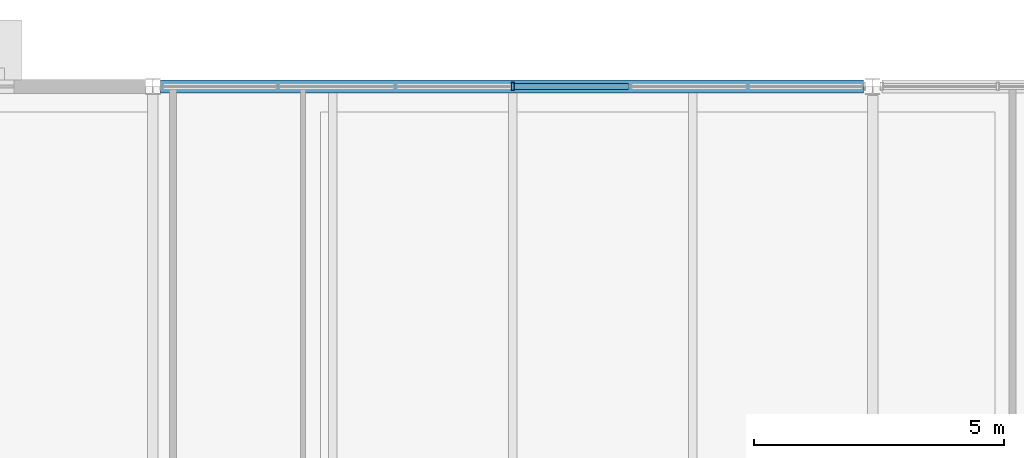
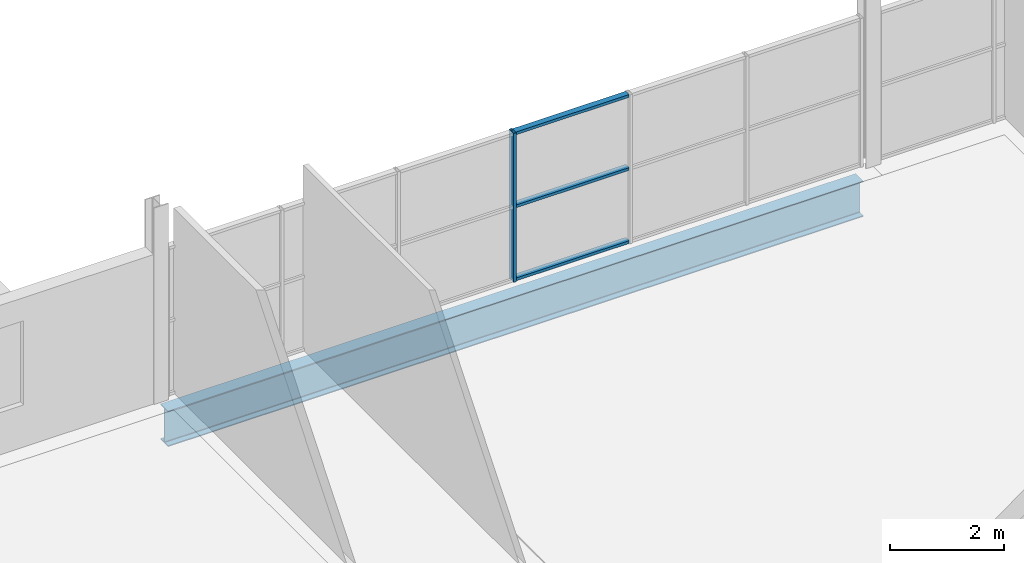
# One storey, part 42 of 93: 4 members, 1 beam, 1 element without a shape of its own.
"""IFC4 building model written with IfcOpenShell, lengths in metres."""

from ifc_helpers import new_model, si_unit, direction, frame, origin, origin_2d, place, context, subcontext, project, spatial, hollow_rectangle, i_section, extrude, material, material_profile, profile_set, type_object, element, aggregate, save


model = new_model("IFC4")

# Units and contexts
model_context = context("Model", 3, precision=1e-05, world=origin(), true_north=direction((0.0, 1.0)))
body_context = subcontext(model_context, "Body", "Model", "MODEL_VIEW")
ifc_project = project(units=[si_unit("LENGTHUNIT", "METRE"), si_unit("AREAUNIT", "SQUARE_METRE"), si_unit("VOLUMEUNIT", "CUBIC_METRE"), si_unit("PLANEANGLEUNIT", "RADIAN"), si_unit("MASSUNIT", "GRAM", prefix="KILO"), si_unit("THERMODYNAMICTEMPERATUREUNIT", "KELVIN")], contexts=[model_context])

# Site, building, storey
site_placement = place(None, origin())
site = spatial("IfcSite", under=ifc_project, at=site_placement, CompositionType="ELEMENT")
building_placement = place(site_placement, origin())
building = spatial("IfcBuilding", under=site, at=building_placement, Name="Nduvali Passage Aquatics Centre", CompositionType="ELEMENT")
storey_placement = place(building_placement, frame((0.0, 0.0, 9.0)))
storey = spatial("IfcBuildingStorey", under=building, at=storey_placement, Name="L02", CompositionType="ELEMENT", Elevation=9.0)

# Curtain wall, members
ifc_material_1 = material(Name="Aluminium EN AW-6063 T6", Category="aluminium")
curtain_wall_type = type_object("IfcCurtainWallType", Name="ENV-CW-WELL", PredefinedType="NOTDEFINED", material=ifc_material_1)
curtain_wall_placement = place(storey_placement, origin())
curtain_wall = element("IfcCurtainWall", 1, at=curtain_wall_placement, inside=storey, type_object=curtain_wall_type, Name="L02 North Avenue Clinic CW 101", PredefinedType="NOTDEFINED")
ifc_material_profile_1 = material_profile(ifc_material_1, hollow_rectangle(XDim=0.06005859375, YDim=0.159912109375, WallThickness=0.00390625, at=origin_2d()), Name="ALU MULLION 60x160x4")
ifc_profile_set_1 = profile_set([ifc_material_profile_1], Name="Aluminium EN AW-6063 T6")
member_type_1 = type_object("IfcMemberType", Name="ENV-MEM-MUL60", PredefinedType="MULLION", material=ifc_profile_set_1)
member_1_placement = place(storey_placement, frame((61.199951171875, 117.60009765625, 0.0), z_axis=(0.0, 0.0, 1.0), x_axis=(1.0, 0.0, 0.0)))
member_1 = element("IfcMember", 2, at=member_1_placement, type_object=member_type_1, Name="North Avenue Clinic CW Mullion 4", PredefinedType="MULLION", context=body_context, shape_type="SweptSolid", body=[
    extrude(hollow_rectangle(XDim=0.06005859375, YDim=0.159912109375, WallThickness=0.00390625, at=origin_2d()), origin(), (0.0, 0.0, 1.0), 3.183837890625),
])
ifc_material_profile_2 = material_profile(ifc_material_1, hollow_rectangle(XDim=0.1201171875, YDim=0.06005859375, WallThickness=0.00390625, at=origin_2d()), Name="ALU TRANSOM 120x60x4")
ifc_profile_set_2 = profile_set([ifc_material_profile_2], Name="Aluminium EN AW-6063 T6")
member_type_2 = type_object("IfcMemberType", Name="ENV-MEM-TRN60", PredefinedType="USERDEFINED", material=ifc_profile_set_2)
member_2_placement = place(storey_placement, frame((61.22998046875, 117.60009765625, 0.030029296875), z_axis=(1.0, 0.0, 0.0), x_axis=(0.0, 1.0, 0.0)))
member_2 = element("IfcMember", 3, at=member_2_placement, type_object=member_type_2, Name="North Avenue Clinic CW Transom B4-R0", ObjectType="TRANSOM", PredefinedType="USERDEFINED", context=body_context, shape_type="SweptSolid", body=[
    extrude(hollow_rectangle(XDim=0.1201171875, YDim=0.06005859375, WallThickness=0.00390625, at=origin_2d()), origin(), (0.0, 0.0, 1.0), 2.2900390625),
])
member_3_placement = place(storey_placement, frame((61.22998046875, 117.60009765625, 1.591796875), z_axis=(1.0, 0.0, 0.0), x_axis=(0.0, 1.0, 0.0)))
member_3 = element("IfcMember", 4, at=member_3_placement, type_object=member_type_2, Name="North Avenue Clinic CW Transom B4-R1", ObjectType="TRANSOM", PredefinedType="USERDEFINED", context=body_context, shape_type="SweptSolid", body=[
    extrude(hollow_rectangle(XDim=0.1201171875, YDim=0.06005859375, WallThickness=0.00390625, at=origin_2d()), origin(), (0.0, 0.0, 1.0), 2.2900390625),
])
member_4_placement = place(storey_placement, frame((61.22998046875, 117.60009765625, 3.15380859375), z_axis=(1.0, 0.0, 0.0), x_axis=(0.0, 1.0, 0.0)))
member_4 = element("IfcMember", 5, at=member_4_placement, type_object=member_type_2, Name="North Avenue Clinic CW Transom B4-R2", ObjectType="TRANSOM", PredefinedType="USERDEFINED", context=body_context, shape_type="SweptSolid", body=[
    extrude(hollow_rectangle(XDim=0.1201171875, YDim=0.06005859375, WallThickness=0.00390625, at=origin_2d()), origin(), (0.0, 0.0, 1.0), 2.2900390625),
])
aggregate(curtain_wall, [member_1, member_2, member_3, member_4])

# Beam
ifc_material_2 = material(Name="Steel S355", Category="steel")
ifc_material_profile_3 = material_profile(ifc_material_2, i_section(OverallWidth=0.2666015625, OverallDepth=0.76220703125, WebThickness=0.014404296875, FlangeThickness=0.021484375, FilletRadius=0.0166015625, at=origin_2d()), Name="UKB 762x267x173")
ifc_profile_set_3 = profile_set([ifc_material_profile_3], Name="Steel S355")
beam_type = type_object("IfcBeamType", Name="STR-BM-UKB762-EXT", PredefinedType="BEAM", material=ifc_profile_set_3)
beam_placement = place(storey_placement, frame((54.154541015625, 117.60009765625, -0.64501953125), z_axis=(1.0, 0.0, 0.0), x_axis=(0.0, 1.0, 0.0)))
element("IfcBeam", 6, at=beam_placement, inside=storey, type_object=beam_type, Name="L02 Primary X-Girder B4CE-0945", PredefinedType="BEAM", context=body_context, shape_type="SweptSolid", body=[
    extrude(i_section(OverallWidth=0.2666015625, OverallDepth=0.76220703125, WebThickness=0.014404296875, FlangeThickness=0.021484375, FilletRadius=0.0166015625, at=origin_2d()), origin(), (0.0, 0.0, 1.0), 14.060302734375),
])

save(model, "model.ifc")
